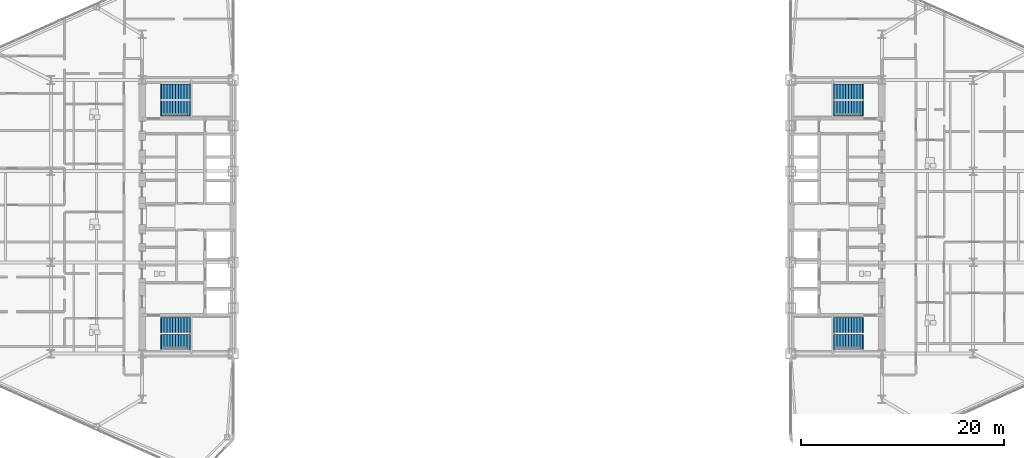
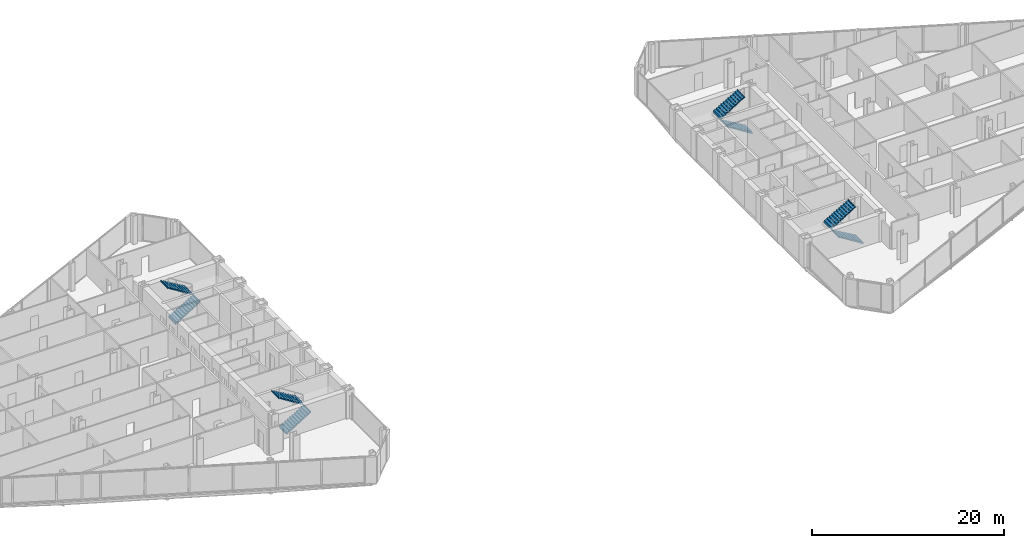
# One storey, part 25 of 27: 8 stair flights, 4 elements without a shape of their own.
"""IFC4 building model written with IfcOpenShell, lengths in metres."""

from ifc_helpers import new_model, si_unit, direction, frame, origin, place, context, subcontext, project, spatial, polyline, outline, extrude, material, type_object, element, aggregate, save


model = new_model("IFC4")

# Units and contexts
model_context = context("Model", 3, precision=1e-05, world=origin(), true_north=direction((0.0, 1.0)))
body_context = subcontext(model_context, "Body", "Model", "MODEL_VIEW")
ifc_project = project(units=[si_unit("LENGTHUNIT", "METRE"), si_unit("AREAUNIT", "SQUARE_METRE"), si_unit("VOLUMEUNIT", "CUBIC_METRE"), si_unit("PLANEANGLEUNIT", "RADIAN"), si_unit("MASSUNIT", "GRAM", prefix="KILO")], contexts=[model_context])

# Site, building, storey
site_placement = place(None, origin())
site = spatial("IfcSite", under=ifc_project, at=site_placement, CompositionType="ELEMENT")
building_placement = place(site_placement, origin())
building = spatial("IfcBuilding", under=site, at=building_placement, Name="Seokmaru Belvedere", CompositionType="ELEMENT")
storey_placement = place(building_placement, frame((0.0, 0.0, 99.60009765625)))
storey = spatial("IfcBuildingStorey", under=building, at=storey_placement, Name="L26", CompositionType="ELEMENT", Elevation=99.60009765625)

# Stair, stair flights
ifc_material = material(Name="Concrete C40 (40 MPa)", Category="concrete")
stair_type = type_object("IfcStairType", Name="Typical Tower Core Dog-Leg Stair 3600", PredefinedType="TWO_STRAIGHT_RUN_STAIR", material=ifc_material)
stair_1_placement = place(storey_placement, origin())
stair_1 = element("IfcStair", 1, at=stair_1_placement, inside=storey, type_object=stair_type, Name="L26 Special Escape Stair ST-W1", PredefinedType="TWO_STRAIGHT_RUN_STAIR")
stair_flight_type = type_object("IfcStairFlightType", Name="Reinforced Concrete Stair Flight 1500", PredefinedType="STRAIGHT", material=ifc_material)
stair_flight_1_placement = place(storey_placement, frame((-34.60009765625, -12.35009765625, 0.0), z_axis=(0.0, 0.0, 1.0), x_axis=(1.0, 0.0, 0.0)))
stair_flight_1 = element("IfcStairFlight", 2, at=stair_flight_1_placement, type_object=stair_flight_type, Name="ST-W1 flight 1", NumberOfRisers=11, NumberOfTreads=10, PredefinedType="STRAIGHT", RiserHeight=0.163636364, TreadLength=0.28, context=body_context, shape_type="SweptSolid", body=[
    extrude(outline(polyline([(-0.080078125, 0.0), (0.0, 0.16357421875), (0.280029296875, 0.16357421875), (0.280029296875, 0.327392578125), (0.56005859375, 0.327392578125), (0.56005859375, 0.490966796875), (0.840087890625, 0.490966796875), (0.840087890625, 0.654541015625), (1.1201171875, 0.654541015625), (1.1201171875, 0.818115234375), (1.39990234375, 0.818115234375), (1.39990234375, 0.98193359375), (1.679931640625, 0.98193359375), (1.679931640625, 1.1455078125), (1.9599609375, 1.1455078125), (1.9599609375, 1.30908203125), (2.239990234375, 1.30908203125), (2.239990234375, 1.47265625), (2.52001953125, 1.47265625), (2.52001953125, 1.636474609375), (2.800048828125, 1.636474609375), (2.800048828125, 1.800048828125), (2.8798828125, 1.800048828125), (2.8798828125, 1.610107421875), (2.800048828125, 1.610107421875), (0.0, -0.159912109375), (-0.080078125, -0.159912109375), (-0.080078125, 0.0)])), frame((0.0, 0.75, 0.0), z_axis=(0.0, -1.0, 0.0), x_axis=(1.0, 0.0, 0.0)), (0.0, 0.0, 1.0), 1.5),
])
stair_flight_2_placement = place(storey_placement, frame((-31.800048828125, -10.7099609375, 1.7998046875), z_axis=(0.0, 0.0, 1.0), x_axis=(-1.0, 0.0, 0.0)))
stair_flight_2 = element("IfcStairFlight", 3, at=stair_flight_2_placement, type_object=stair_flight_type, Name="ST-W1 flight 2", NumberOfRisers=11, NumberOfTreads=10, PredefinedType="STRAIGHT", RiserHeight=0.163636364, TreadLength=0.28, context=body_context, shape_type="SweptSolid", body=[
    extrude(outline(polyline([(-0.080078125, 0.0), (0.0, 0.16357421875), (0.280029296875, 0.16357421875), (0.280029296875, 0.327392578125), (0.56005859375, 0.327392578125), (0.56005859375, 0.490966796875), (0.840087890625, 0.490966796875), (0.840087890625, 0.654541015625), (1.1201171875, 0.654541015625), (1.1201171875, 0.818115234375), (1.39990234375, 0.818115234375), (1.39990234375, 0.98193359375), (1.679931640625, 0.98193359375), (1.679931640625, 1.1455078125), (1.9599609375, 1.1455078125), (1.9599609375, 1.30908203125), (2.239990234375, 1.30908203125), (2.239990234375, 1.47265625), (2.52001953125, 1.47265625), (2.52001953125, 1.636474609375), (2.800048828125, 1.636474609375), (2.800048828125, 1.800048828125), (2.8798828125, 1.800048828125), (2.8798828125, 1.610107421875), (2.800048828125, 1.610107421875), (0.0, -0.159912109375), (-0.080078125, -0.159912109375), (-0.080078125, 0.0)])), frame((0.0, 0.75, 0.0), z_axis=(0.0, -1.0, 0.0), x_axis=(1.0, 0.0, 0.0)), (0.0, 0.0, 1.0), 1.5),
])
aggregate(stair_1, [stair_flight_1, stair_flight_2])

stair_2_placement = place(storey_placement, origin())
stair_2 = element("IfcStair", 4, at=stair_2_placement, inside=storey, type_object=stair_type, Name="L26 Special Escape Stair ST-W2", PredefinedType="TWO_STRAIGHT_RUN_STAIR")
stair_flight_3_placement = place(storey_placement, frame((-34.60009765625, 10.7099609375, 0.0), z_axis=(0.0, 0.0, 1.0), x_axis=(1.0, 0.0, 0.0)))
stair_flight_3 = element("IfcStairFlight", 5, at=stair_flight_3_placement, type_object=stair_flight_type, Name="ST-W2 flight 1", NumberOfRisers=11, NumberOfTreads=10, PredefinedType="STRAIGHT", RiserHeight=0.163636364, TreadLength=0.28, context=body_context, shape_type="SweptSolid", body=[
    extrude(outline(polyline([(-0.080078125, 0.0), (0.0, 0.16357421875), (0.280029296875, 0.16357421875), (0.280029296875, 0.327392578125), (0.56005859375, 0.327392578125), (0.56005859375, 0.490966796875), (0.840087890625, 0.490966796875), (0.840087890625, 0.654541015625), (1.1201171875, 0.654541015625), (1.1201171875, 0.818115234375), (1.39990234375, 0.818115234375), (1.39990234375, 0.98193359375), (1.679931640625, 0.98193359375), (1.679931640625, 1.1455078125), (1.9599609375, 1.1455078125), (1.9599609375, 1.30908203125), (2.239990234375, 1.30908203125), (2.239990234375, 1.47265625), (2.52001953125, 1.47265625), (2.52001953125, 1.636474609375), (2.800048828125, 1.636474609375), (2.800048828125, 1.800048828125), (2.8798828125, 1.800048828125), (2.8798828125, 1.610107421875), (2.800048828125, 1.610107421875), (0.0, -0.159912109375), (-0.080078125, -0.159912109375), (-0.080078125, 0.0)])), frame((0.0, 0.75, 0.0), z_axis=(0.0, -1.0, 0.0), x_axis=(1.0, 0.0, 0.0)), (0.0, 0.0, 1.0), 1.5),
])
stair_flight_4_placement = place(storey_placement, frame((-31.800048828125, 12.35009765625, 1.7998046875), z_axis=(0.0, 0.0, 1.0), x_axis=(-1.0, 0.0, 0.0)))
stair_flight_4 = element("IfcStairFlight", 6, at=stair_flight_4_placement, type_object=stair_flight_type, Name="ST-W2 flight 2", NumberOfRisers=11, NumberOfTreads=10, PredefinedType="STRAIGHT", RiserHeight=0.163636364, TreadLength=0.28, context=body_context, shape_type="SweptSolid", body=[
    extrude(outline(polyline([(-0.080078125, 0.0), (0.0, 0.16357421875), (0.280029296875, 0.16357421875), (0.280029296875, 0.327392578125), (0.56005859375, 0.327392578125), (0.56005859375, 0.490966796875), (0.840087890625, 0.490966796875), (0.840087890625, 0.654541015625), (1.1201171875, 0.654541015625), (1.1201171875, 0.818115234375), (1.39990234375, 0.818115234375), (1.39990234375, 0.98193359375), (1.679931640625, 0.98193359375), (1.679931640625, 1.1455078125), (1.9599609375, 1.1455078125), (1.9599609375, 1.30908203125), (2.239990234375, 1.30908203125), (2.239990234375, 1.47265625), (2.52001953125, 1.47265625), (2.52001953125, 1.636474609375), (2.800048828125, 1.636474609375), (2.800048828125, 1.800048828125), (2.8798828125, 1.800048828125), (2.8798828125, 1.610107421875), (2.800048828125, 1.610107421875), (0.0, -0.159912109375), (-0.080078125, -0.159912109375), (-0.080078125, 0.0)])), frame((0.0, 0.75, 0.0), z_axis=(0.0, -1.0, 0.0), x_axis=(1.0, 0.0, 0.0)), (0.0, 0.0, 1.0), 1.5),
])
aggregate(stair_2, [stair_flight_3, stair_flight_4])

stair_3_placement = place(storey_placement, origin())
stair_3 = element("IfcStair", 7, at=stair_3_placement, inside=storey, type_object=stair_type, Name="L26 Special Escape Stair ST-E1", PredefinedType="TWO_STRAIGHT_RUN_STAIR")
stair_flight_5_placement = place(storey_placement, frame((34.60009765625, -12.35009765625, 0.0), z_axis=(0.0, 0.0, 1.0), x_axis=(-1.0, 0.0, 0.0)))
stair_flight_5 = element("IfcStairFlight", 8, at=stair_flight_5_placement, type_object=stair_flight_type, Name="ST-E1 flight 1", NumberOfRisers=11, NumberOfTreads=10, PredefinedType="STRAIGHT", RiserHeight=0.163636364, TreadLength=0.28, context=body_context, shape_type="SweptSolid", body=[
    extrude(outline(polyline([(-0.080078125, 0.0), (0.0, 0.16357421875), (0.280029296875, 0.16357421875), (0.280029296875, 0.327392578125), (0.56005859375, 0.327392578125), (0.56005859375, 0.490966796875), (0.840087890625, 0.490966796875), (0.840087890625, 0.654541015625), (1.1201171875, 0.654541015625), (1.1201171875, 0.818115234375), (1.39990234375, 0.818115234375), (1.39990234375, 0.98193359375), (1.679931640625, 0.98193359375), (1.679931640625, 1.1455078125), (1.9599609375, 1.1455078125), (1.9599609375, 1.30908203125), (2.239990234375, 1.30908203125), (2.239990234375, 1.47265625), (2.52001953125, 1.47265625), (2.52001953125, 1.636474609375), (2.800048828125, 1.636474609375), (2.800048828125, 1.800048828125), (2.8798828125, 1.800048828125), (2.8798828125, 1.610107421875), (2.800048828125, 1.610107421875), (0.0, -0.159912109375), (-0.080078125, -0.159912109375), (-0.080078125, 0.0)])), frame((0.0, 0.75, 0.0), z_axis=(0.0, -1.0, 0.0), x_axis=(1.0, 0.0, 0.0)), (0.0, 0.0, 1.0), 1.5),
])
stair_flight_6_placement = place(storey_placement, frame((31.800048828125, -10.7099609375, 1.7998046875), z_axis=(0.0, 0.0, 1.0), x_axis=(1.0, 0.0, 0.0)))
stair_flight_6 = element("IfcStairFlight", 9, at=stair_flight_6_placement, type_object=stair_flight_type, Name="ST-E1 flight 2", NumberOfRisers=11, NumberOfTreads=10, PredefinedType="STRAIGHT", RiserHeight=0.163636364, TreadLength=0.28, context=body_context, shape_type="SweptSolid", body=[
    extrude(outline(polyline([(-0.080078125, 0.0), (0.0, 0.16357421875), (0.280029296875, 0.16357421875), (0.280029296875, 0.327392578125), (0.56005859375, 0.327392578125), (0.56005859375, 0.490966796875), (0.840087890625, 0.490966796875), (0.840087890625, 0.654541015625), (1.1201171875, 0.654541015625), (1.1201171875, 0.818115234375), (1.39990234375, 0.818115234375), (1.39990234375, 0.98193359375), (1.679931640625, 0.98193359375), (1.679931640625, 1.1455078125), (1.9599609375, 1.1455078125), (1.9599609375, 1.30908203125), (2.239990234375, 1.30908203125), (2.239990234375, 1.47265625), (2.52001953125, 1.47265625), (2.52001953125, 1.636474609375), (2.800048828125, 1.636474609375), (2.800048828125, 1.800048828125), (2.8798828125, 1.800048828125), (2.8798828125, 1.610107421875), (2.800048828125, 1.610107421875), (0.0, -0.159912109375), (-0.080078125, -0.159912109375), (-0.080078125, 0.0)])), frame((0.0, 0.75, 0.0), z_axis=(0.0, -1.0, 0.0), x_axis=(1.0, 0.0, 0.0)), (0.0, 0.0, 1.0), 1.5),
])
aggregate(stair_3, [stair_flight_5, stair_flight_6])

stair_4_placement = place(storey_placement, origin())
stair_4 = element("IfcStair", 10, at=stair_4_placement, inside=storey, type_object=stair_type, Name="L26 Special Escape Stair ST-E2", PredefinedType="TWO_STRAIGHT_RUN_STAIR")
stair_flight_7_placement = place(storey_placement, frame((34.60009765625, 10.7099609375, 0.0), z_axis=(0.0, 0.0, 1.0), x_axis=(-1.0, 0.0, 0.0)))
stair_flight_7 = element("IfcStairFlight", 11, at=stair_flight_7_placement, type_object=stair_flight_type, Name="ST-E2 flight 1", NumberOfRisers=11, NumberOfTreads=10, PredefinedType="STRAIGHT", RiserHeight=0.163636364, TreadLength=0.28, context=body_context, shape_type="SweptSolid", body=[
    extrude(outline(polyline([(-0.080078125, 0.0), (0.0, 0.16357421875), (0.280029296875, 0.16357421875), (0.280029296875, 0.327392578125), (0.56005859375, 0.327392578125), (0.56005859375, 0.490966796875), (0.840087890625, 0.490966796875), (0.840087890625, 0.654541015625), (1.1201171875, 0.654541015625), (1.1201171875, 0.818115234375), (1.39990234375, 0.818115234375), (1.39990234375, 0.98193359375), (1.679931640625, 0.98193359375), (1.679931640625, 1.1455078125), (1.9599609375, 1.1455078125), (1.9599609375, 1.30908203125), (2.239990234375, 1.30908203125), (2.239990234375, 1.47265625), (2.52001953125, 1.47265625), (2.52001953125, 1.636474609375), (2.800048828125, 1.636474609375), (2.800048828125, 1.800048828125), (2.8798828125, 1.800048828125), (2.8798828125, 1.610107421875), (2.800048828125, 1.610107421875), (0.0, -0.159912109375), (-0.080078125, -0.159912109375), (-0.080078125, 0.0)])), frame((0.0, 0.75, 0.0), z_axis=(0.0, -1.0, 0.0), x_axis=(1.0, 0.0, 0.0)), (0.0, 0.0, 1.0), 1.5),
])
stair_flight_8_placement = place(storey_placement, frame((31.800048828125, 12.35009765625, 1.7998046875), z_axis=(0.0, 0.0, 1.0), x_axis=(1.0, 0.0, 0.0)))
stair_flight_8 = element("IfcStairFlight", 12, at=stair_flight_8_placement, type_object=stair_flight_type, Name="ST-E2 flight 2", NumberOfRisers=11, NumberOfTreads=10, PredefinedType="STRAIGHT", RiserHeight=0.163636364, TreadLength=0.28, context=body_context, shape_type="SweptSolid", body=[
    extrude(outline(polyline([(-0.080078125, 0.0), (0.0, 0.16357421875), (0.280029296875, 0.16357421875), (0.280029296875, 0.327392578125), (0.56005859375, 0.327392578125), (0.56005859375, 0.490966796875), (0.840087890625, 0.490966796875), (0.840087890625, 0.654541015625), (1.1201171875, 0.654541015625), (1.1201171875, 0.818115234375), (1.39990234375, 0.818115234375), (1.39990234375, 0.98193359375), (1.679931640625, 0.98193359375), (1.679931640625, 1.1455078125), (1.9599609375, 1.1455078125), (1.9599609375, 1.30908203125), (2.239990234375, 1.30908203125), (2.239990234375, 1.47265625), (2.52001953125, 1.47265625), (2.52001953125, 1.636474609375), (2.800048828125, 1.636474609375), (2.800048828125, 1.800048828125), (2.8798828125, 1.800048828125), (2.8798828125, 1.610107421875), (2.800048828125, 1.610107421875), (0.0, -0.159912109375), (-0.080078125, -0.159912109375), (-0.080078125, 0.0)])), frame((0.0, 0.75, 0.0), z_axis=(0.0, -1.0, 0.0), x_axis=(1.0, 0.0, 0.0)), (0.0, 0.0, 1.0), 1.5),
])
aggregate(stair_4, [stair_flight_7, stair_flight_8])

save(model, "model.ifc")
